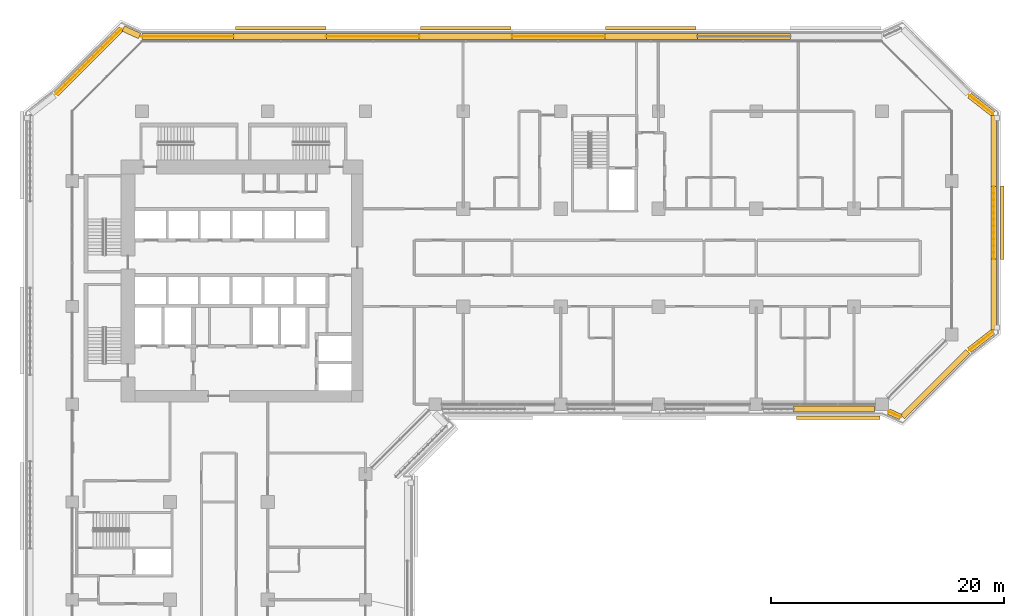
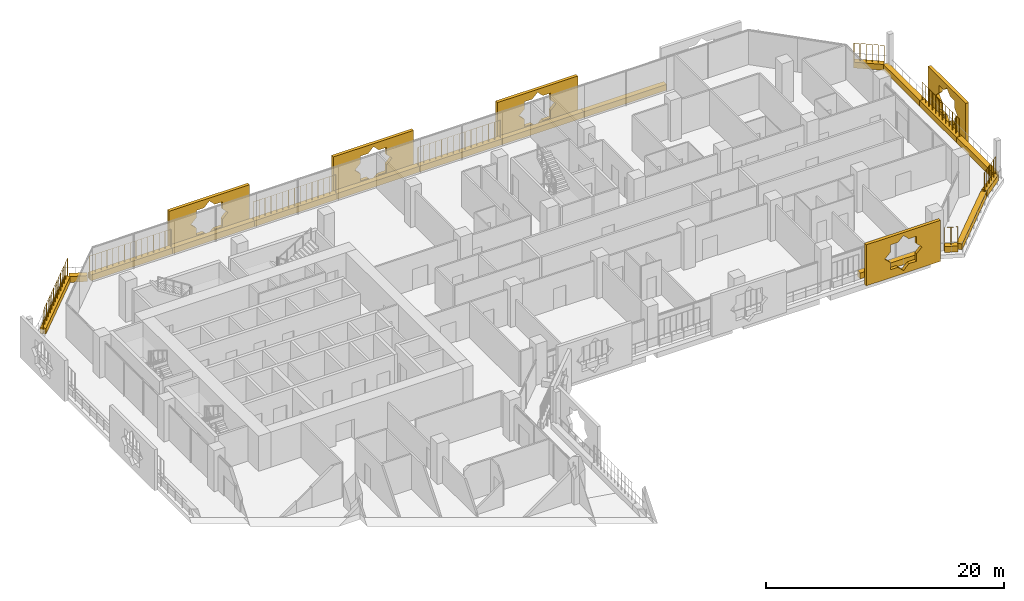
# One storey, part 24 of 25: 22 coverings, 8 railings.
"""IFC4 building model written with IfcOpenShell, lengths in metres."""

from ifc_helpers import new_model, si_unit, direction, frame, origin, origin_2d, place, context, subcontext, project, spatial, polyline, rectangle, circle, outline, extrude, material, material_profile, profile_set, type_object, element, save


model = new_model("IFC4")

# Units and contexts
model_context = context("Model", 3, precision=1e-05, world=origin(), true_north=direction((0.0, 1.0)))
body_context = subcontext(model_context, "Body", "Model", "MODEL_VIEW")
ifc_project = project(units=[si_unit("LENGTHUNIT", "METRE"), si_unit("AREAUNIT", "SQUARE_METRE"), si_unit("VOLUMEUNIT", "CUBIC_METRE"), si_unit("PLANEANGLEUNIT", "RADIAN"), si_unit("MASSUNIT", "GRAM", prefix="KILO")], contexts=[model_context])

# Site, building, storey
site_placement = place(None, origin())
site = spatial("IfcSite", under=ifc_project, at=site_placement, CompositionType="ELEMENT")
building_placement = place(site_placement, origin())
building = spatial("IfcBuilding", under=site, at=building_placement, Name="Kawkab Arch Medical Tower", CompositionType="ELEMENT")
storey_placement = place(building_placement, frame((0.0, 0.0, 128.199951171875)))
storey = spatial("IfcBuildingStorey", under=building, at=storey_placement, Name="L29", CompositionType="ELEMENT", Elevation=128.199951171875)

# Coverings
ifc_material_1 = material(Name="Bronze anodised aluminium mashrabiya panel, eight-point star pattern", Category="aluminium")
ifc_material_profile_1 = material_profile(ifc_material_1, outline(polyline([(-3.14990234375, -2.10009765625), (3.14990234375, -2.10009765625), (3.14990234375, 2.10009765625), (-3.14990234375, 2.10009765625), (-3.14990234375, -2.10009765625)]), holes=[polyline([(1.800048828125, 0.0), (1.272705078125, 0.527099609375), (1.272705078125, 1.272705078125), (0.527099609375, 1.272705078125), (0.0, 1.800048828125), (-0.527099609375, 1.272705078125), (-1.272705078125, 1.272705078125), (-1.272705078125, 0.527099609375), (-1.800048828125, 0.0), (-1.272705078125, -0.527099609375), (-1.272705078125, -1.272705078125), (-0.527099609375, -1.272705078125), (0.0, -1.800048828125), (0.527099609375, -1.272705078125), (1.272705078125, -1.272705078125), (1.272705078125, -0.527099609375), (1.800048828125, 0.0)])]), Name="Mashrabiya panel 6300x4200")
ifc_profile_set_1 = profile_set([ifc_material_profile_1], Name="Bronze anodised aluminium mashrabiya panel, eight-point star pattern")
covering_type_1 = type_object("IfcCoveringType", Name="Mashrabiya panel 6300 x 4200", PredefinedType="USERDEFINED", material=ifc_profile_set_1)
covering_1_placement = place(storey_placement, frame((79.800048828125, -9.60009765625, 1.699951171875), z_axis=(1.0, 0.0, 0.0), x_axis=(0.0, 1.0, 0.0)))
element("IfcCovering", 1, at=covering_1_placement, inside=storey, type_object=covering_type_1, Name="Mashrabiya panel L29.LOG-01-01.10", ObjectType="SCREEN", PredefinedType="USERDEFINED", context=body_context, shape_type="SweptSolid", body=[
    extrude(outline(polyline([(-3.14990234375, -2.10009765625), (3.14990234375, -2.10009765625), (3.14990234375, 2.10009765625), (-3.14990234375, 2.10009765625), (-3.14990234375, -2.10009765625)]), holes=[polyline([(1.800048828125, 0.0), (1.272705078125, 0.527099609375), (1.272705078125, 1.272705078125), (0.527099609375, 1.272705078125), (0.0, 1.800048828125), (-0.527099609375, 1.272705078125), (-1.272705078125, 1.272705078125), (-1.272705078125, 0.527099609375), (-1.800048828125, 0.0), (-1.272705078125, -0.527099609375), (-1.272705078125, -1.272705078125), (-0.527099609375, -1.272705078125), (0.0, -1.800048828125), (0.527099609375, -1.272705078125), (1.272705078125, -1.272705078125), (1.272705078125, -0.527099609375), (1.800048828125, 0.0)])]), origin(), (0.0, 0.0, 1.0), 0.300048828125),
])
ifc_material_2 = material(Name="Bronze anodised aluminium mashrabiya panel, eight-point star pattern", Category="aluminium")
ifc_material_profile_2 = material_profile(ifc_material_2, outline(polyline([(-3.60009765625, -2.10009765625), (3.60009765625, -2.10009765625), (3.60009765625, 2.10009765625), (-3.60009765625, 2.10009765625), (-3.60009765625, -2.10009765625)]), holes=[polyline([(1.800048828125, 0.0), (1.272705078125, 0.527099609375), (1.272705078125, 1.272705078125), (0.527099609375, 1.272705078125), (0.0, 1.800048828125), (-0.527099609375, 1.272705078125), (-1.272705078125, 1.272705078125), (-1.272705078125, 0.527099609375), (-1.800048828125, 0.0), (-1.272705078125, -0.527099609375), (-1.272705078125, -1.272705078125), (-0.527099609375, -1.272705078125), (0.0, -1.800048828125), (0.527099609375, -1.272705078125), (1.272705078125, -1.272705078125), (1.272705078125, -0.527099609375), (1.800048828125, 0.0)])]), Name="Mashrabiya panel 7200x4200")
ifc_profile_set_2 = profile_set([ifc_material_profile_2], Name="Bronze anodised aluminium mashrabiya panel, eight-point star pattern")
covering_type_2 = type_object("IfcCoveringType", Name="Mashrabiya panel 7200 x 4200", PredefinedType="USERDEFINED", material=ifc_profile_set_2)
covering_2_placement = place(storey_placement, frame((65.840087890625, -26.199951171875, 1.699951171875), z_axis=(0.0, -1.0, 0.0), x_axis=(1.0, 0.0, 0.0)))
element("IfcCovering", 2, at=covering_2_placement, inside=storey, type_object=covering_type_2, Name="Mashrabiya panel L29.LOG-01-01.11", ObjectType="SCREEN", PredefinedType="USERDEFINED", context=body_context, shape_type="SweptSolid", body=[
    extrude(outline(polyline([(-3.60009765625, -2.10009765625), (3.60009765625, -2.10009765625), (3.60009765625, 2.10009765625), (-3.60009765625, 2.10009765625), (-3.60009765625, -2.10009765625)]), holes=[polyline([(1.800048828125, 0.0), (1.272705078125, 0.527099609375), (1.272705078125, 1.272705078125), (0.527099609375, 1.272705078125), (0.0, 1.800048828125), (-0.527099609375, 1.272705078125), (-1.272705078125, 1.272705078125), (-1.272705078125, 0.527099609375), (-1.800048828125, 0.0), (-1.272705078125, -0.527099609375), (-1.272705078125, -1.272705078125), (-0.527099609375, -1.272705078125), (0.0, -1.800048828125), (0.527099609375, -1.272705078125), (1.272705078125, -1.272705078125), (1.272705078125, -0.527099609375), (1.800048828125, 0.0)])]), origin(), (0.0, 0.0, 1.0), 0.300048828125),
])
ifc_material_3 = material(Name="Bronze anodised aluminium mashrabiya panel, eight-point star pattern", Category="aluminium")
ifc_material_profile_3 = material_profile(ifc_material_3, outline(polyline([(-3.89990234375, -2.10009765625), (3.89990234375, -2.10009765625), (3.89990234375, 2.10009765625), (-3.89990234375, 2.10009765625), (-3.89990234375, -2.10009765625)]), holes=[polyline([(1.800048828125, 0.0), (1.272705078125, 0.527099609375), (1.272705078125, 1.272705078125), (0.527099609375, 1.272705078125), (0.0, 1.800048828125), (-0.527099609375, 1.272705078125), (-1.272705078125, 1.272705078125), (-1.272705078125, 0.527099609375), (-1.800048828125, 0.0), (-1.272705078125, -0.527099609375), (-1.272705078125, -1.272705078125), (-0.527099609375, -1.272705078125), (0.0, -1.800048828125), (0.527099609375, -1.272705078125), (1.272705078125, -1.272705078125), (1.272705078125, -0.527099609375), (1.800048828125, 0.0)])]), Name="Mashrabiya panel 7800x4200")
ifc_profile_set_3 = profile_set([ifc_material_profile_3], Name="Bronze anodised aluminium mashrabiya panel, eight-point star pattern")
covering_type_3 = type_object("IfcCoveringType", Name="Mashrabiya panel 7800 x 4200", PredefinedType="USERDEFINED", material=ifc_profile_set_3)
for number, where, z_axis, x_axis, name in (
    (3, (17.923583984375, 7.0, 1.699951171875), (0.0, 1.0, 0.0), (-1.0, 0.0, 0.0), "Mashrabiya panel L29.LOG-01-01.6"),
    (4, (33.82470703125, 7.0, 1.699951171875), (0.0, 1.0, 0.0), (-1.0, 0.0, 0.0), "Mashrabiya panel L29.LOG-01-01.7"),
    (5, (49.725830078125, 7.0, 1.699951171875), (0.0, 1.0, 0.0), (-1.0, 0.0, 0.0), "Mashrabiya panel L29.LOG-01-01.8"),
):
    element("IfcCovering", number, at=place(storey_placement, frame(where, z_axis=z_axis, x_axis=x_axis)), inside=storey, type_object=covering_type_3, Name=name, ObjectType="SCREEN", PredefinedType="USERDEFINED", context=body_context, shape_type="SweptSolid", body=[
        extrude(outline(polyline([(-3.89990234375, -2.10009765625), (3.89990234375, -2.10009765625), (3.89990234375, 2.10009765625), (-3.89990234375, 2.10009765625), (-3.89990234375, -2.10009765625)]), holes=[polyline([(1.800048828125, 0.0), (1.272705078125, 0.527099609375), (1.272705078125, 1.272705078125), (0.527099609375, 1.272705078125), (0.0, 1.800048828125), (-0.527099609375, 1.272705078125), (-1.272705078125, 1.272705078125), (-1.272705078125, 0.527099609375), (-1.800048828125, 0.0), (-1.272705078125, -0.527099609375), (-1.272705078125, -1.272705078125), (-0.527099609375, -1.272705078125), (0.0, -1.800048828125), (0.527099609375, -1.272705078125), (1.272705078125, -1.272705078125), (1.272705078125, -0.527099609375), (1.800048828125, 0.0)])]), origin(), (0.0, 0.0, 1.0), 0.300048828125),
    ])
ifc_material_4 = material(Name="Planting soil in a precast trough", Category="concrete")
ifc_material_profile_4 = material_profile(ifc_material_4, rectangle(XDim=0.5, YDim=0.60009765625, at=origin_2d()), Name="Trough 500x600")
ifc_profile_set_4 = profile_set([ifc_material_profile_4], Name="Planting soil in a precast trough")
covering_type_4 = type_object("IfcCoveringType", Name="Planter trough 500 x 600", PredefinedType="USERDEFINED", material=ifc_profile_set_4)
covering_3_placement = place(storey_placement, frame((-1.383056640625, 1.472900390625, 0.300048828125), z_axis=(0.707106781187, 0.707106781187, 0.0), x_axis=(-0.707106781187, 0.707106781187, 0.0)))
element("IfcCovering", 6, at=covering_3_placement, inside=storey, type_object=covering_type_4, Name="Planter L29.LOG-01-01.15", ObjectType="PLANTER", PredefinedType="USERDEFINED", context=body_context, shape_type="SweptSolid", body=[
    extrude(rectangle(XDim=0.5, YDim=0.60009765625, at=origin_2d()), origin(), (0.0, 0.0, 1.0), 7.919677734375),
])
covering_4_placement = place(storey_placement, frame((4.37890625, 7.10205078125, 0.300048828125), z_axis=(0.909655525109, -0.415363486165, 0.0), x_axis=(0.415363486165, 0.909655525109, 0.0)))
element("IfcCovering", 7, at=covering_4_placement, inside=storey, type_object=covering_type_4, Name="Planter L29.LOG-01-01.16", ObjectType="PLANTER", PredefinedType="USERDEFINED", context=body_context, shape_type="SweptSolid", body=[
    extrude(rectangle(XDim=0.5, YDim=0.60009765625, at=origin_2d()), origin(), (0.0, 0.0, 1.0), 1.54345703125),
])
covering_5_placement = place(storey_placement, frame((5.97412109375, 6.419921875, 0.300048828125), z_axis=(1.0, 0.0, 0.0), x_axis=(0.0, 1.0, 0.0)))
element("IfcCovering", 8, at=covering_5_placement, inside=storey, type_object=covering_type_4, Name="Planter L29.LOG-01-01.17", ObjectType="PLANTER", PredefinedType="USERDEFINED", context=body_context, shape_type="SweptSolid", body=[
    extrude(rectangle(XDim=0.5, YDim=0.60009765625, at=origin_2d()), origin(), (0.0, 0.0, 1.0), 7.8818359375),
])
covering_6_placement = place(storey_placement, frame((13.85595703125, 6.419921875, 0.300048828125), z_axis=(1.0, 0.0, 0.0), x_axis=(0.0, 1.0, 0.0)))
element("IfcCovering", 9, at=covering_6_placement, inside=storey, type_object=covering_type_4, Name="Planter L29.LOG-01-01.18", ObjectType="PLANTER", PredefinedType="USERDEFINED", context=body_context, shape_type="SweptSolid", body=[
    extrude(rectangle(XDim=0.5, YDim=0.60009765625, at=origin_2d()), origin(), (0.0, 0.0, 1.0), 7.98095703125),
])
covering_7_placement = place(storey_placement, frame((21.8369140625, 6.419921875, 0.300048828125), z_axis=(1.0, 0.0, 0.0), x_axis=(0.0, 1.0, 0.0)))
element("IfcCovering", 10, at=covering_7_placement, inside=storey, type_object=covering_type_4, Name="Planter L29.LOG-01-01.19", ObjectType="PLANTER", PredefinedType="USERDEFINED", context=body_context, shape_type="SweptSolid", body=[
    extrude(rectangle(XDim=0.5, YDim=0.60009765625, at=origin_2d()), origin(), (0.0, 0.0, 1.0), 7.982177734375),
])
for number, where, z_axis, x_axis, name in (
    (11, (29.819091796875, 6.419921875, 0.300048828125), (1.0, 0.0, 0.0), (0.0, 1.0, 0.0), "Planter L29.LOG-01-01.20"),
    (12, (37.800048828125, 6.419921875, 0.300048828125), (1.0, 0.0, 0.0), (0.0, 1.0, 0.0), "Planter L29.LOG-01-01.21"),
):
    element("IfcCovering", number, at=place(storey_placement, frame(where, z_axis=z_axis, x_axis=x_axis)), inside=storey, type_object=covering_type_4, Name=name, ObjectType="PLANTER", PredefinedType="USERDEFINED", context=body_context, shape_type="SweptSolid", body=[
        extrude(rectangle(XDim=0.5, YDim=0.60009765625, at=origin_2d()), origin(), (0.0, 0.0, 1.0), 7.98095703125),
    ])
covering_8_placement = place(storey_placement, frame((45.781005859375, 6.419921875, 0.300048828125), z_axis=(1.0, 0.0, 0.0), x_axis=(0.0, 1.0, 0.0)))
element("IfcCovering", 13, at=covering_8_placement, inside=storey, type_object=covering_type_4, Name="Planter L29.LOG-01-01.22", ObjectType="PLANTER", PredefinedType="USERDEFINED", context=body_context, shape_type="SweptSolid", body=[
    extrude(rectangle(XDim=0.5, YDim=0.60009765625, at=origin_2d()), origin(), (0.0, 0.0, 1.0), 7.98193359375),
])
covering_9_placement = place(storey_placement, frame((53.762939453125, 6.419921875, 0.300048828125), z_axis=(1.0, 0.0, 0.0), x_axis=(0.0, 1.0, 0.0)))
element("IfcCovering", 14, at=covering_9_placement, inside=storey, type_object=covering_type_4, Name="Planter L29.LOG-01-01.23", ObjectType="PLANTER", PredefinedType="USERDEFINED", context=body_context, shape_type="SweptSolid", body=[
    extrude(rectangle(XDim=0.5, YDim=0.60009765625, at=origin_2d()), origin(), (0.0, 0.0, 1.0), 7.98095703125),
])
covering_10_placement = place(storey_placement, frame((77.132080078125, 1.341064453125, 0.300048828125), z_axis=(0.789274742246, -0.61404021143, 0.0), x_axis=(0.61404021143, 0.789274742246, 0.0)))
element("IfcCovering", 15, at=covering_10_placement, inside=storey, type_object=covering_type_4, Name="Planter L29.LOG-01-01.27", ObjectType="PLANTER", PredefinedType="USERDEFINED", context=body_context, shape_type="SweptSolid", body=[
    extrude(rectangle(XDim=0.5, YDim=0.60009765625, at=origin_2d()), origin(), (0.0, 0.0, 1.0), 2.54541015625),
])
covering_11_placement = place(storey_placement, frame((79.219970703125, -0.384033203125, 0.300048828125), z_axis=(0.0, -1.0, 0.0), x_axis=(1.0, 0.0, 0.0)))
element("IfcCovering", 16, at=covering_11_placement, inside=storey, type_object=covering_type_4, Name="Planter L29.LOG-01-01.28", ObjectType="PLANTER", PredefinedType="USERDEFINED", context=body_context, shape_type="SweptSolid", body=[
    extrude(rectangle(XDim=0.5, YDim=0.60009765625, at=origin_2d()), origin(), (0.0, 0.0, 1.0), 6.111083984375),
])
covering_12_placement = place(storey_placement, frame((79.219970703125, -6.4951171875, 0.300048828125), z_axis=(0.0, -1.0, 0.0), x_axis=(1.0, 0.0, 0.0)))
element("IfcCovering", 17, at=covering_12_placement, inside=storey, type_object=covering_type_4, Name="Planter L29.LOG-01-01.29", ObjectType="PLANTER", PredefinedType="USERDEFINED", context=body_context, shape_type="SweptSolid", body=[
    extrude(rectangle(XDim=0.5, YDim=0.60009765625, at=origin_2d()), origin(), (0.0, 0.0, 1.0), 6.2099609375),
])
covering_13_placement = place(storey_placement, frame((79.219970703125, -12.705078125, 0.300048828125), z_axis=(0.0, -1.0, 0.0), x_axis=(1.0, 0.0, 0.0)))
element("IfcCovering", 18, at=covering_13_placement, inside=storey, type_object=covering_type_4, Name="Planter L29.LOG-01-01.30", ObjectType="PLANTER", PredefinedType="USERDEFINED", context=body_context, shape_type="SweptSolid", body=[
    extrude(rectangle(XDim=0.5, YDim=0.60009765625, at=origin_2d()), origin(), (0.0, 0.0, 1.0), 6.11083984375),
])
covering_14_placement = place(storey_placement, frame((79.14111328125, -18.97802734375, 0.300048828125), z_axis=(-0.789274742246, -0.61404021143, 0.0), x_axis=(0.61404021143, -0.789274742246, 0.0)))
element("IfcCovering", 19, at=covering_14_placement, inside=storey, type_object=covering_type_4, Name="Planter L29.LOG-01-01.31", ObjectType="PLANTER", PredefinedType="USERDEFINED", context=body_context, shape_type="SweptSolid", body=[
    extrude(rectangle(XDim=0.5, YDim=0.60009765625, at=origin_2d()), origin(), (0.0, 0.0, 1.0), 2.54541015625),
])
covering_15_placement = place(storey_placement, frame((76.98291015625, -20.673095703125, 0.300048828125), z_axis=(-0.707106781187, -0.707106781187, 0.0), x_axis=(0.707106781187, -0.707106781187, 0.0)))
element("IfcCovering", 20, at=covering_15_placement, inside=storey, type_object=covering_type_4, Name="Planter L29.LOG-01-01.32", ObjectType="PLANTER", PredefinedType="USERDEFINED", context=body_context, shape_type="SweptSolid", body=[
    extrude(rectangle(XDim=0.5, YDim=0.60009765625, at=origin_2d()), origin(), (0.0, 0.0, 1.0), 7.91943359375),
])
covering_16_placement = place(storey_placement, frame((71.220947265625, -26.302001953125, 0.300048828125), z_axis=(-0.90986596287, 0.414902313335, 0.0), x_axis=(-0.414902313335, -0.90986596287, 0.0)))
element("IfcCovering", 21, at=covering_16_placement, inside=storey, type_object=covering_type_4, Name="Planter L29.LOG-01-01.33", ObjectType="PLANTER", PredefinedType="USERDEFINED", context=body_context, shape_type="SweptSolid", body=[
    extrude(rectangle(XDim=0.5, YDim=0.60009765625, at=origin_2d()), origin(), (0.0, 0.0, 1.0), 1.137451171875),
])
covering_17_placement = place(storey_placement, frame((68.969970703125, -25.6201171875, 0.300048828125), z_axis=(-1.0, 0.0, 0.0), x_axis=(0.0, -1.0, 0.0)))
element("IfcCovering", 22, at=covering_17_placement, inside=storey, type_object=covering_type_4, Name="Planter L29.LOG-01-01.34", ObjectType="PLANTER", PredefinedType="USERDEFINED", context=body_context, shape_type="SweptSolid", body=[
    extrude(rectangle(XDim=0.5, YDim=0.60009765625, at=origin_2d()), origin(), (0.0, 0.0, 1.0), 6.951904296875),
])

# Railings
ifc_material_5 = material(Name="Bronze anodised aluminium trellis for climbing plants", Category="aluminium")
railing_type = type_object("IfcRailingType", Name="Planting trellis 2400", PredefinedType="USERDEFINED", material=ifc_material_5)
railing_1_placement = place(storey_placement, frame((-1.383056640625, 1.472900390625, 0.0)))
element("IfcRailing", 23, at=railing_1_placement, inside=storey, type_object=railing_type, Name="Planting trellis L29.LOG-01-01.15", ObjectType="TRELLIS", PredefinedType="USERDEFINED", context=body_context, shape_type="SweptSolid", body=[
    extrude(circle(Radius=0.01513671875, at=origin_2d()), frame((0.0, 0.0, 2.384765625), z_axis=(0.707106781187, 0.707106781187, 0.0), x_axis=(-0.707106781187, 0.707106781187, 0.0)), (0.0, 0.0, 1.0), 7.919677734375),
    extrude(circle(Radius=0.030029296875, at=origin_2d()), origin(), (0.0, 0.0, 1.0), 2.369873046875),
    extrude(circle(Radius=0.030029296875, at=origin_2d()), frame((0.39990234375, 0.39990234375, 0.0)), (0.0, 0.0, 1.0), 2.369873046875),
    extrude(circle(Radius=0.030029296875, at=origin_2d()), frame((0.800048828125, 0.800048828125, 0.0)), (0.0, 0.0, 1.0), 2.369873046875),
    extrude(circle(Radius=0.030029296875, at=origin_2d()), frame((1.199951171875, 1.199951171875, 0.0)), (0.0, 0.0, 1.0), 2.369873046875),
    extrude(circle(Radius=0.030029296875, at=origin_2d()), frame((1.60009765625, 1.60009765625, 0.0)), (0.0, 0.0, 1.0), 2.369873046875),
    extrude(circle(Radius=0.030029296875, at=origin_2d()), frame((2.0, 2.0, 0.0)), (0.0, 0.0, 1.0), 2.369873046875),
    extrude(circle(Radius=0.030029296875, at=origin_2d()), frame((2.400146484375, 2.400146484375, 0.0)), (0.0, 0.0, 1.0), 2.369873046875),
    extrude(circle(Radius=0.030029296875, at=origin_2d()), frame((2.800048828125, 2.800048828125, 0.0)), (0.0, 0.0, 1.0), 2.369873046875),
    extrude(circle(Radius=0.030029296875, at=origin_2d()), frame((3.199951171875, 3.199951171875, 0.0)), (0.0, 0.0, 1.0), 2.369873046875),
    extrude(circle(Radius=0.030029296875, at=origin_2d()), frame((3.60009765625, 3.60009765625, 0.0)), (0.0, 0.0, 1.0), 2.369873046875),
    extrude(circle(Radius=0.030029296875, at=origin_2d()), frame((4.0, 4.0, 0.0)), (0.0, 0.0, 1.0), 2.369873046875),
    extrude(circle(Radius=0.030029296875, at=origin_2d()), frame((4.400146484375, 4.400146484375, 0.0)), (0.0, 0.0, 1.0), 2.369873046875),
    extrude(circle(Radius=0.030029296875, at=origin_2d()), frame((4.800048828125, 4.800048828125, 0.0)), (0.0, 0.0, 1.0), 2.369873046875),
    extrude(circle(Radius=0.030029296875, at=origin_2d()), frame((5.2001953125, 5.2001953125, 0.0)), (0.0, 0.0, 1.0), 2.369873046875),
    extrude(circle(Radius=0.030029296875, at=origin_2d()), frame((5.60009765625, 5.60009765625, 0.0)), (0.0, 0.0, 1.0), 2.369873046875),
])
railing_2_placement = place(storey_placement, frame((5.97412109375, 6.419921875, 0.0)))
element("IfcRailing", 24, at=railing_2_placement, inside=storey, type_object=railing_type, Name="Planting trellis L29.LOG-01-01.17", ObjectType="TRELLIS", PredefinedType="USERDEFINED", context=body_context, shape_type="SweptSolid", body=[
    extrude(circle(Radius=0.01513671875, at=origin_2d()), frame((0.0, 0.0, 2.384765625), z_axis=(1.0, 0.0, 0.0), x_axis=(0.0, 1.0, 0.0)), (0.0, 0.0, 1.0), 7.8818359375),
    extrude(circle(Radius=0.030029296875, at=origin_2d()), origin(), (0.0, 0.0, 1.0), 2.369873046875),
    extrude(circle(Radius=0.030029296875, at=origin_2d()), frame((0.56298828125, 0.0, 0.0)), (0.0, 0.0, 1.0), 2.369873046875),
    extrude(circle(Radius=0.030029296875, at=origin_2d()), frame((1.1259765625, 0.0, 0.0)), (0.0, 0.0, 1.0), 2.369873046875),
    extrude(circle(Radius=0.030029296875, at=origin_2d()), frame((1.68896484375, 0.0, 0.0)), (0.0, 0.0, 1.0), 2.369873046875),
    extrude(circle(Radius=0.030029296875, at=origin_2d()), frame((2.251953125, 0.0, 0.0)), (0.0, 0.0, 1.0), 2.369873046875),
    extrude(circle(Radius=0.030029296875, at=origin_2d()), frame((2.81494140625, 0.0, 0.0)), (0.0, 0.0, 1.0), 2.369873046875),
    extrude(circle(Radius=0.030029296875, at=origin_2d()), frame((3.3779296875, 0.0, 0.0)), (0.0, 0.0, 1.0), 2.369873046875),
    extrude(circle(Radius=0.030029296875, at=origin_2d()), frame((3.94091796875, 0.0, 0.0)), (0.0, 0.0, 1.0), 2.369873046875),
    extrude(circle(Radius=0.030029296875, at=origin_2d()), frame((4.50390625, 0.0, 0.0)), (0.0, 0.0, 1.0), 2.369873046875),
    extrude(circle(Radius=0.030029296875, at=origin_2d()), frame((5.06689453125, 0.0, 0.0)), (0.0, 0.0, 1.0), 2.369873046875),
    extrude(circle(Radius=0.030029296875, at=origin_2d()), frame((5.6298828125, 0.0, 0.0)), (0.0, 0.0, 1.0), 2.369873046875),
    extrude(circle(Radius=0.030029296875, at=origin_2d()), frame((6.19287109375, 0.0, 0.0)), (0.0, 0.0, 1.0), 2.369873046875),
    extrude(circle(Radius=0.030029296875, at=origin_2d()), frame((6.755859375, 0.0, 0.0)), (0.0, 0.0, 1.0), 2.369873046875),
    extrude(circle(Radius=0.030029296875, at=origin_2d()), frame((7.31884765625, 0.0, 0.0)), (0.0, 0.0, 1.0), 2.369873046875),
    extrude(circle(Radius=0.030029296875, at=origin_2d()), frame((7.8818359375, 0.0, 0.0)), (0.0, 0.0, 1.0), 2.369873046875),
])
railing_3_placement = place(storey_placement, frame((21.8369140625, 6.419921875, 0.0)))
element("IfcRailing", 25, at=railing_3_placement, inside=storey, type_object=railing_type, Name="Planting trellis L29.LOG-01-01.19", ObjectType="TRELLIS", PredefinedType="USERDEFINED", context=body_context, shape_type="SweptSolid", body=[
    extrude(circle(Radius=0.01513671875, at=origin_2d()), frame((0.0, 0.0, 2.384765625), z_axis=(1.0, 0.0, 0.0), x_axis=(0.0, 1.0, 0.0)), (0.0, 0.0, 1.0), 7.982177734375),
    extrude(circle(Radius=0.030029296875, at=origin_2d()), origin(), (0.0, 0.0, 1.0), 2.369873046875),
    extrude(circle(Radius=0.030029296875, at=origin_2d()), frame((0.570068359375, 0.0, 0.0)), (0.0, 0.0, 1.0), 2.369873046875),
    extrude(circle(Radius=0.030029296875, at=origin_2d()), frame((1.140380859375, 0.0, 0.0)), (0.0, 0.0, 1.0), 2.369873046875),
    extrude(circle(Radius=0.030029296875, at=origin_2d()), frame((1.71044921875, 0.0, 0.0)), (0.0, 0.0, 1.0), 2.369873046875),
    extrude(circle(Radius=0.030029296875, at=origin_2d()), frame((2.280517578125, 0.0, 0.0)), (0.0, 0.0, 1.0), 2.369873046875),
    extrude(circle(Radius=0.030029296875, at=origin_2d()), frame((2.850830078125, 0.0, 0.0)), (0.0, 0.0, 1.0), 2.369873046875),
    extrude(circle(Radius=0.030029296875, at=origin_2d()), frame((3.4208984375, 0.0, 0.0)), (0.0, 0.0, 1.0), 2.369873046875),
    extrude(circle(Radius=0.030029296875, at=origin_2d()), frame((3.9912109375, 0.0, 0.0)), (0.0, 0.0, 1.0), 2.369873046875),
    extrude(circle(Radius=0.030029296875, at=origin_2d()), frame((4.561279296875, 0.0, 0.0)), (0.0, 0.0, 1.0), 2.369873046875),
    extrude(circle(Radius=0.030029296875, at=origin_2d()), frame((5.13134765625, 0.0, 0.0)), (0.0, 0.0, 1.0), 2.369873046875),
    extrude(circle(Radius=0.030029296875, at=origin_2d()), frame((5.70166015625, 0.0, 0.0)), (0.0, 0.0, 1.0), 2.369873046875),
    extrude(circle(Radius=0.030029296875, at=origin_2d()), frame((6.271728515625, 0.0, 0.0)), (0.0, 0.0, 1.0), 2.369873046875),
    extrude(circle(Radius=0.030029296875, at=origin_2d()), frame((6.841796875, 0.0, 0.0)), (0.0, 0.0, 1.0), 2.369873046875),
    extrude(circle(Radius=0.030029296875, at=origin_2d()), frame((7.412109375, 0.0, 0.0)), (0.0, 0.0, 1.0), 2.369873046875),
    extrude(circle(Radius=0.030029296875, at=origin_2d()), frame((7.982177734375, 0.0, 0.0)), (0.0, 0.0, 1.0), 2.369873046875),
])
railing_4_placement = place(storey_placement, frame((37.800048828125, 6.419921875, 0.0)))
element("IfcRailing", 26, at=railing_4_placement, inside=storey, type_object=railing_type, Name="Planting trellis L29.LOG-01-01.21", ObjectType="TRELLIS", PredefinedType="USERDEFINED", context=body_context, shape_type="SweptSolid", body=[
    extrude(circle(Radius=0.01513671875, at=origin_2d()), frame((0.0, 0.0, 2.384765625), z_axis=(1.0, 0.0, 0.0), x_axis=(0.0, 1.0, 0.0)), (0.0, 0.0, 1.0), 7.98095703125),
    extrude(circle(Radius=0.030029296875, at=origin_2d()), origin(), (0.0, 0.0, 1.0), 2.369873046875),
    extrude(circle(Radius=0.030029296875, at=origin_2d()), frame((0.570068359375, 0.0, 0.0)), (0.0, 0.0, 1.0), 2.369873046875),
    extrude(circle(Radius=0.030029296875, at=origin_2d()), frame((1.14013671875, 0.0, 0.0)), (0.0, 0.0, 1.0), 2.369873046875),
    extrude(circle(Radius=0.030029296875, at=origin_2d()), frame((1.710205078125, 0.0, 0.0)), (0.0, 0.0, 1.0), 2.369873046875),
    extrude(circle(Radius=0.030029296875, at=origin_2d()), frame((2.2802734375, 0.0, 0.0)), (0.0, 0.0, 1.0), 2.369873046875),
    extrude(circle(Radius=0.030029296875, at=origin_2d()), frame((2.850341796875, 0.0, 0.0)), (0.0, 0.0, 1.0), 2.369873046875),
    extrude(circle(Radius=0.030029296875, at=origin_2d()), frame((3.42041015625, 0.0, 0.0)), (0.0, 0.0, 1.0), 2.369873046875),
    extrude(circle(Radius=0.030029296875, at=origin_2d()), frame((3.990478515625, 0.0, 0.0)), (0.0, 0.0, 1.0), 2.369873046875),
    extrude(circle(Radius=0.030029296875, at=origin_2d()), frame((4.560546875, 0.0, 0.0)), (0.0, 0.0, 1.0), 2.369873046875),
    extrude(circle(Radius=0.030029296875, at=origin_2d()), frame((5.130615234375, 0.0, 0.0)), (0.0, 0.0, 1.0), 2.369873046875),
    extrude(circle(Radius=0.030029296875, at=origin_2d()), frame((5.70068359375, 0.0, 0.0)), (0.0, 0.0, 1.0), 2.369873046875),
    extrude(circle(Radius=0.030029296875, at=origin_2d()), frame((6.270751953125, 0.0, 0.0)), (0.0, 0.0, 1.0), 2.369873046875),
    extrude(circle(Radius=0.030029296875, at=origin_2d()), frame((6.8408203125, 0.0, 0.0)), (0.0, 0.0, 1.0), 2.369873046875),
    extrude(circle(Radius=0.030029296875, at=origin_2d()), frame((7.410888671875, 0.0, 0.0)), (0.0, 0.0, 1.0), 2.369873046875),
    extrude(circle(Radius=0.030029296875, at=origin_2d()), frame((7.98095703125, 0.0, 0.0)), (0.0, 0.0, 1.0), 2.369873046875),
])
railing_5_placement = place(storey_placement, frame((77.132080078125, 1.341064453125, 0.0)))
element("IfcRailing", 27, at=railing_5_placement, inside=storey, type_object=railing_type, Name="Planting trellis L29.LOG-01-01.27", ObjectType="TRELLIS", PredefinedType="USERDEFINED", context=body_context, shape_type="SweptSolid", body=[
    extrude(circle(Radius=0.01513671875, at=origin_2d()), frame((0.0, 0.0, 2.384765625), z_axis=(0.789274742246, -0.61404021143, 0.0), x_axis=(0.61404021143, 0.789274742246, 0.0)), (0.0, 0.0, 1.0), 2.54541015625),
    extrude(circle(Radius=0.030029296875, at=origin_2d()), origin(), (0.0, 0.0, 1.0), 2.369873046875),
    extrude(circle(Radius=0.030029296875, at=origin_2d()), frame((0.40185546875, -0.3125, 0.0)), (0.0, 0.0, 1.0), 2.369873046875),
    extrude(circle(Radius=0.030029296875, at=origin_2d()), frame((0.8037109375, -0.625244140625, 0.0)), (0.0, 0.0, 1.0), 2.369873046875),
    extrude(circle(Radius=0.030029296875, at=origin_2d()), frame((1.205322265625, -0.937744140625, 0.0)), (0.0, 0.0, 1.0), 2.369873046875),
    extrude(circle(Radius=0.030029296875, at=origin_2d()), frame((1.607177734375, -1.25048828125, 0.0)), (0.0, 0.0, 1.0), 2.369873046875),
    extrude(circle(Radius=0.030029296875, at=origin_2d()), frame((2.009033203125, -1.56298828125, 0.0)), (0.0, 0.0, 1.0), 2.369873046875),
])
railing_6_placement = place(storey_placement, frame((79.219970703125, -6.4951171875, 0.0)))
element("IfcRailing", 28, at=railing_6_placement, inside=storey, type_object=railing_type, Name="Planting trellis L29.LOG-01-01.29", ObjectType="TRELLIS", PredefinedType="USERDEFINED", context=body_context, shape_type="SweptSolid", body=[
    extrude(circle(Radius=0.01513671875, at=origin_2d()), frame((0.0, 0.0, 2.384765625), z_axis=(0.0, -1.0, 0.0), x_axis=(1.0, 0.0, 0.0)), (0.0, 0.0, 1.0), 6.2099609375),
    extrude(circle(Radius=0.030029296875, at=origin_2d()), origin(), (0.0, 0.0, 1.0), 2.369873046875),
    extrude(circle(Radius=0.030029296875, at=origin_2d()), frame((0.0, -0.564453125, 0.0)), (0.0, 0.0, 1.0), 2.369873046875),
    extrude(circle(Radius=0.030029296875, at=origin_2d()), frame((0.0, -1.129150390625, 0.0)), (0.0, 0.0, 1.0), 2.369873046875),
    extrude(circle(Radius=0.030029296875, at=origin_2d()), frame((0.0, -1.693603515625, 0.0)), (0.0, 0.0, 1.0), 2.369873046875),
    extrude(circle(Radius=0.030029296875, at=origin_2d()), frame((0.0, -2.258056640625, 0.0)), (0.0, 0.0, 1.0), 2.369873046875),
    extrude(circle(Radius=0.030029296875, at=origin_2d()), frame((0.0, -2.82275390625, 0.0)), (0.0, 0.0, 1.0), 2.369873046875),
    extrude(circle(Radius=0.030029296875, at=origin_2d()), frame((0.0, -3.38720703125, 0.0)), (0.0, 0.0, 1.0), 2.369873046875),
    extrude(circle(Radius=0.030029296875, at=origin_2d()), frame((0.0, -3.951904296875, 0.0)), (0.0, 0.0, 1.0), 2.369873046875),
    extrude(circle(Radius=0.030029296875, at=origin_2d()), frame((0.0, -4.516357421875, 0.0)), (0.0, 0.0, 1.0), 2.369873046875),
    extrude(circle(Radius=0.030029296875, at=origin_2d()), frame((0.0, -5.080810546875, 0.0)), (0.0, 0.0, 1.0), 2.369873046875),
    extrude(circle(Radius=0.030029296875, at=origin_2d()), frame((0.0, -5.6455078125, 0.0)), (0.0, 0.0, 1.0), 2.369873046875),
    extrude(circle(Radius=0.030029296875, at=origin_2d()), frame((0.0, -6.2099609375, 0.0)), (0.0, 0.0, 1.0), 2.369873046875),
])
railing_7_placement = place(storey_placement, frame((79.14111328125, -18.97802734375, 0.0)))
element("IfcRailing", 29, at=railing_7_placement, inside=storey, type_object=railing_type, Name="Planting trellis L29.LOG-01-01.31", ObjectType="TRELLIS", PredefinedType="USERDEFINED", context=body_context, shape_type="SweptSolid", body=[
    extrude(circle(Radius=0.01513671875, at=origin_2d()), frame((0.0, 0.0, 2.384765625), z_axis=(-0.789274742246, -0.61404021143, 0.0), x_axis=(0.61404021143, -0.789274742246, 0.0)), (0.0, 0.0, 1.0), 2.54541015625),
    extrude(circle(Radius=0.030029296875, at=origin_2d()), origin(), (0.0, 0.0, 1.0), 2.369873046875),
    extrude(circle(Radius=0.030029296875, at=origin_2d()), frame((-0.40185546875, -0.3125, 0.0)), (0.0, 0.0, 1.0), 2.369873046875),
    extrude(circle(Radius=0.030029296875, at=origin_2d()), frame((-0.8037109375, -0.625244140625, 0.0)), (0.0, 0.0, 1.0), 2.369873046875),
    extrude(circle(Radius=0.030029296875, at=origin_2d()), frame((-1.205322265625, -0.937744140625, 0.0)), (0.0, 0.0, 1.0), 2.369873046875),
    extrude(circle(Radius=0.030029296875, at=origin_2d()), frame((-1.607177734375, -1.25048828125, 0.0)), (0.0, 0.0, 1.0), 2.369873046875),
    extrude(circle(Radius=0.030029296875, at=origin_2d()), frame((-2.009033203125, -1.56298828125, 0.0)), (0.0, 0.0, 1.0), 2.369873046875),
])
railing_8_placement = place(storey_placement, frame((71.220947265625, -26.302001953125, 0.0)))
element("IfcRailing", 30, at=railing_8_placement, inside=storey, type_object=railing_type, Name="Planting trellis L29.LOG-01-01.33", ObjectType="TRELLIS", PredefinedType="USERDEFINED", context=body_context, shape_type="SweptSolid", body=[
    extrude(circle(Radius=0.01513671875, at=origin_2d()), frame((0.0, 0.0, 2.384765625), z_axis=(-0.90986596287, 0.414902313335, 0.0), x_axis=(-0.414902313335, -0.90986596287, 0.0)), (0.0, 0.0, 1.0), 1.137451171875),
    extrude(circle(Radius=0.030029296875, at=origin_2d()), origin(), (0.0, 0.0, 1.0), 2.369873046875),
    extrude(circle(Radius=0.030029296875, at=origin_2d()), frame((-0.517578125, 0.23583984375, 0.0)), (0.0, 0.0, 1.0), 2.369873046875),
    extrude(circle(Radius=0.030029296875, at=origin_2d()), frame((-1.034912109375, 0.471923828125, 0.0)), (0.0, 0.0, 1.0), 2.369873046875),
])

save(model, "model.ifc")
